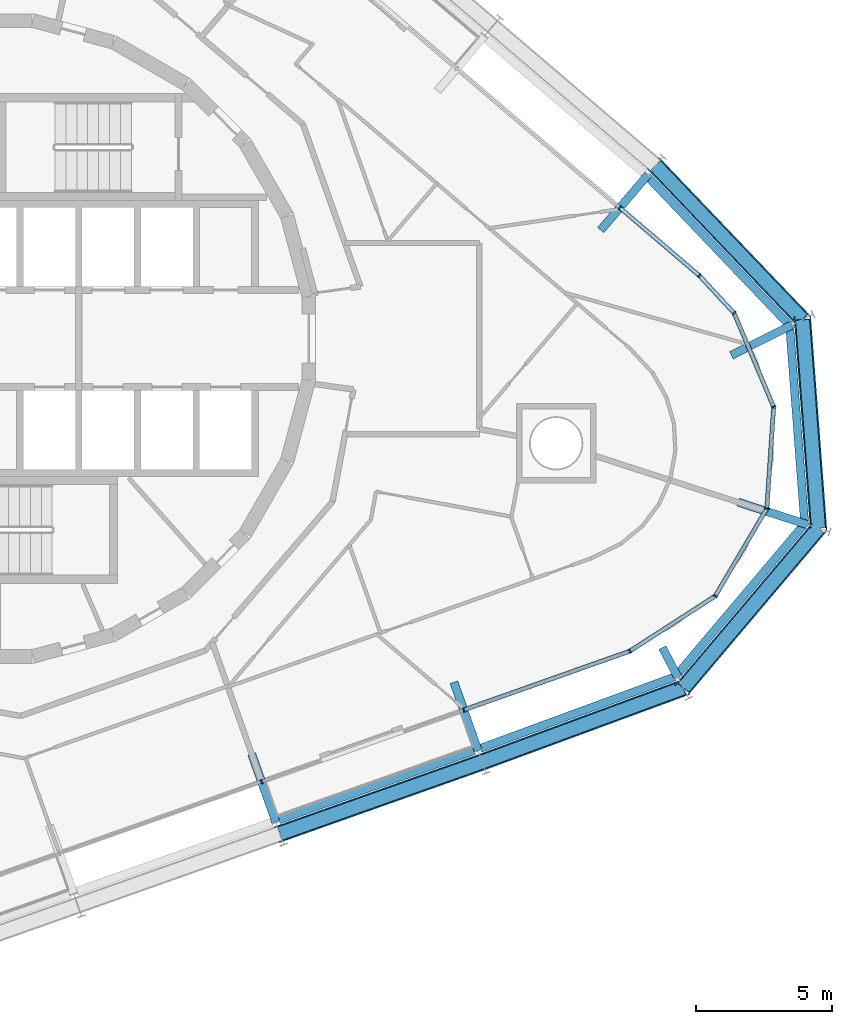
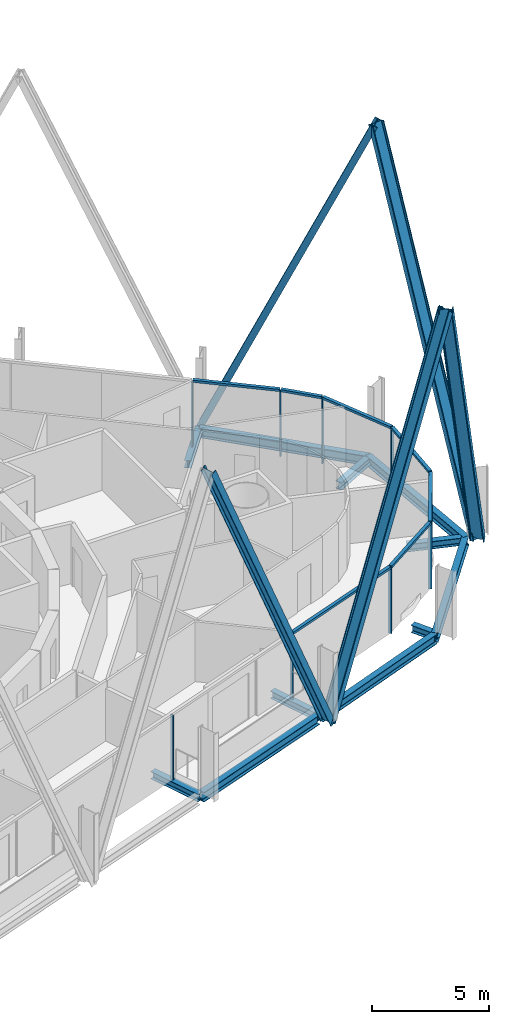
# One storey, part 5 of 17: 21 members, 11 beams, 3 elements without a shape of their own.
"""IFC4 building model written with IfcOpenShell, lengths in metres."""

from ifc_helpers import new_model, si_unit, direction, frame, origin, origin_2d, place, context, subcontext, project, spatial, rectangle, i_section, extrude, material, layer, layer_set, material_profile, profile_set, type_object, element, aggregate, save


model = new_model("IFC4")

# Units and contexts
model_context = context("Model", 3, precision=1e-05, world=origin(), true_north=direction((0.0, 1.0)))
body_context = subcontext(model_context, "Body", "Model", "MODEL_VIEW")
ifc_project = project(units=[si_unit("LENGTHUNIT", "METRE"), si_unit("AREAUNIT", "SQUARE_METRE"), si_unit("VOLUMEUNIT", "CUBIC_METRE"), si_unit("PLANEANGLEUNIT", "RADIAN"), si_unit("MASSUNIT", "GRAM", prefix="KILO")], contexts=[model_context])

# Site, building, storey
site_placement = place(None, origin())
site = spatial("IfcSite", under=ifc_project, at=site_placement, CompositionType="ELEMENT")
building_placement = place(site_placement, origin())
building = spatial("IfcBuilding", under=site, at=building_placement, Name="Spindle Arch Residences", CompositionType="ELEMENT")
storey_placement = place(building_placement, frame((0.0, 0.0, 165.699951171875)))
storey = spatial("IfcBuildingStorey", under=building, at=storey_placement, Name="L41", CompositionType="ELEMENT", Elevation=165.699951171875)

# Curtain wall, members
ifc_material_1 = material(Name="Aluminium bronze unitised frame with tinted glass", Category="aluminium")
ifc_layer_1 = layer(ifc_material_1, 0.159912109375)
ifc_layer_set_1 = layer_set([ifc_layer_1], Name="CW-D corner wall on the fillet arcs")
curtain_wall_type_1 = type_object("IfcCurtainWallType", Name="CW-D corner wall on the fillet arcs", PredefinedType="NOTDEFINED", material=ifc_layer_set_1)
curtain_wall_1_placement = place(storey_placement, origin())
curtain_wall_1 = element("IfcCurtainWall", 1, at=curtain_wall_1_placement, inside=storey, type_object=curtain_wall_type_1, Name="CW-D L41 run 1", PredefinedType="NOTDEFINED")
ifc_material_2 = material(Name="Aluminium bronze anodised mullion", Category="aluminium")
ifc_material_profile_1 = material_profile(ifc_material_2, rectangle(XDim=0.159912109375, YDim=0.06005859375, at=origin_2d()), Name="MU 60x160")
ifc_profile_set_1 = profile_set([ifc_material_profile_1], Name="Aluminium bronze anodised mullion")
member_type_1 = type_object("IfcMemberType", Name="Bronze mullion 60x160", PredefinedType="MULLION", material=ifc_profile_set_1)
member_1_placement = place(storey_placement, frame((17.326904296875, -13.609619140625, -0.3798828125), z_axis=(0.0, 0.0, 1.0), x_axis=(-0.333806859234, 0.942641491092, 0.0)))
member_1 = element("IfcMember", 2, at=member_1_placement, type_object=member_type_1, Name="CW-D mullion 00", PredefinedType="MULLION", context=body_context, shape_type="SweptSolid", body=[
    extrude(rectangle(XDim=0.159912109375, YDim=0.06005859375, at=origin_2d()), origin(), (0.0, 0.0, 1.0), 3.3798828125),
])
member_2_placement = place(storey_placement, frame((23.410400390625, -11.45556640625, -0.3798828125), z_axis=(0.0, 0.0, 1.0), x_axis=(-0.542197137778, 0.840251309898, 0.0)))
member_2 = element("IfcMember", 3, at=member_2_placement, type_object=member_type_1, Name="CW-D mullion 01", PredefinedType="MULLION", context=body_context, shape_type="SweptSolid", body=[
    extrude(rectangle(XDim=0.159912109375, YDim=0.06005859375, at=origin_2d()), origin(), (0.0, 0.0, 1.0), 3.3798828125),
])
member_3_placement = place(storey_placement, frame((26.541748046875, -9.434814453125, -0.3798828125), z_axis=(0.0, 0.0, 1.0), x_axis=(-0.86162915882, 0.507538365713, 0.0)))
member_3 = element("IfcMember", 4, at=member_3_placement, type_object=member_type_1, Name="CW-D mullion 02", PredefinedType="MULLION", context=body_context, shape_type="SweptSolid", body=[
    extrude(rectangle(XDim=0.159912109375, YDim=0.06005859375, at=origin_2d()), origin(), (0.0, 0.0, 1.0), 3.3798828125),
])
member_4_placement = place(storey_placement, frame((28.43310546875, -6.223876953125, -0.3798828125), z_axis=(0.0, 0.0, 1.0), x_axis=(-0.997762742461, 0.066854392204, 0.0)))
member_4 = element("IfcMember", 5, at=member_4_placement, type_object=member_type_1, Name="CW-D mullion 03", PredefinedType="MULLION", context=body_context, shape_type="SweptSolid", body=[
    extrude(rectangle(XDim=0.159912109375, YDim=0.06005859375, at=origin_2d()), origin(), (0.0, 0.0, 1.0), 3.3798828125),
])
member_5_placement = place(storey_placement, frame((28.682373046875, -2.50537109375, -0.3798828125), z_axis=(0.0, 0.0, 1.0), x_axis=(-0.921637549195, -0.388051836633, 0.0)))
member_5 = element("IfcMember", 6, at=member_5_placement, type_object=member_type_1, Name="CW-D mullion 04", PredefinedType="MULLION", context=body_context, shape_type="SweptSolid", body=[
    extrude(rectangle(XDim=0.159912109375, YDim=0.06005859375, at=origin_2d()), origin(), (0.0, 0.0, 1.0), 3.3798828125),
])
member_6_placement = place(storey_placement, frame((27.236083984375, 0.929443359375, -0.3798828125), z_axis=(0.0, 0.0, 1.0), x_axis=(-0.733334455983, -0.679868057543, 0.0)))
member_6 = element("IfcMember", 7, at=member_6_placement, type_object=member_type_1, Name="CW-D mullion 05", PredefinedType="MULLION", context=body_context, shape_type="SweptSolid", body=[
    extrude(rectangle(XDim=0.159912109375, YDim=0.06005859375, at=origin_2d()), origin(), (0.0, 0.0, 1.0), 3.3798828125),
])
member_7_placement = place(storey_placement, frame((25.960693359375, 2.30517578125, -0.3798828125), z_axis=(0.0, 0.0, 1.0), x_axis=(-0.64944804833, -0.7604059656, 0.0)))
member_7 = element("IfcMember", 8, at=member_7_placement, type_object=member_type_1, Name="CW-D mullion 06", PredefinedType="MULLION", context=body_context, shape_type="SweptSolid", body=[
    extrude(rectangle(XDim=0.159912109375, YDim=0.06005859375, at=origin_2d()), origin(), (0.0, 0.0, 1.0), 3.3798828125),
])

# Curtain wall, member
ifc_material_3 = material(Name="Aluminium bronze unitised frame with tinted glass", Category="aluminium")
ifc_layer_2 = layer(ifc_material_3, 0.159912109375)
ifc_layer_set_2 = layer_set([ifc_layer_2], Name="CW-C typical residential unitised wall")
curtain_wall_type_2 = type_object("IfcCurtainWallType", Name="CW-C typical residential unitised wall", PredefinedType="NOTDEFINED", material=ifc_layer_set_2)
curtain_wall_2_placement = place(storey_placement, origin())
curtain_wall_2 = element("IfcCurtainWall", 9, at=curtain_wall_2_placement, inside=storey, type_object=curtain_wall_type_2, Name="CW-C L41 run 2", PredefinedType="NOTDEFINED")
member_8_placement = place(storey_placement, frame((23.045654296875, 4.794677734375, -0.3798828125), z_axis=(0.0, 0.0, 1.0), x_axis=(-0.64944804833, -0.7604059656, 0.0)))
member_8 = element("IfcMember", 10, at=member_8_placement, type_object=member_type_1, Name="CW-C mullion 05", PredefinedType="MULLION", context=body_context, shape_type="SweptSolid", body=[
    extrude(rectangle(XDim=0.159912109375, YDim=0.06005859375, at=origin_2d()), origin(), (0.0, 0.0, 1.0), 3.3798828125),
])
aggregate(curtain_wall_2, [member_8])

curtain_wall_3_placement = place(storey_placement, origin())
curtain_wall_3 = element("IfcCurtainWall", 11, at=curtain_wall_3_placement, inside=storey, type_object=curtain_wall_type_2, Name="CW-C L41 run 6", PredefinedType="NOTDEFINED")
member_9_placement = place(storey_placement, frame((9.917724609375, -16.2333984375, -0.3798828125), z_axis=(0.0, 0.0, 1.0), x_axis=(-0.333806859234, 0.942641491092, 0.0)))
member_9 = element("IfcMember", 12, at=member_9_placement, type_object=member_type_1, Name="CW-C mullion 00", PredefinedType="MULLION", context=body_context, shape_type="SweptSolid", body=[
    extrude(rectangle(XDim=0.159912109375, YDim=0.06005859375, at=origin_2d()), origin(), (0.0, 0.0, 1.0), 3.3798828125),
])
aggregate(curtain_wall_3, [member_9])

# Member
ifc_material_4 = material(Name="Aluminium bronze anodised transom", Category="aluminium")
ifc_material_profile_2 = material_profile(ifc_material_4, rectangle(XDim=0.159912109375, YDim=0.1201171875, at=origin_2d()), Name="TR 120x160")
ifc_profile_set_2 = profile_set([ifc_material_profile_2], Name="Aluminium bronze anodised transom")
member_type_2 = type_object("IfcMemberType", Name="Bronze transom 120x160", PredefinedType="USERDEFINED", material=ifc_profile_set_2)
member_10_placement = place(storey_placement, frame((17.355224609375, -13.599609375, 3.06005859375), z_axis=(0.94265075566, 0.333780695748, 0.0), x_axis=(-0.333780695748, 0.94265075566, 0.0)))
member_10 = element("IfcMember", 13, at=member_10_placement, type_object=member_type_2, Name="CW-D transom 00", ObjectType="TRANSOM", PredefinedType="USERDEFINED", context=body_context, shape_type="SweptSolid", body=[
    extrude(rectangle(XDim=0.159912109375, YDim=0.1201171875, at=origin_2d()), origin(), (0.0, 0.0, 1.0), 6.3935546875),
])

member_11_placement = place(storey_placement, frame((23.435546875, -11.439208984375, 3.06005859375), z_axis=(0.840264358641, 0.542176915405, 0.0), x_axis=(-0.542176915405, 0.840264358641, 0.0)))
member_11 = element("IfcMember", 14, at=member_11_placement, type_object=member_type_2, Name="CW-D transom 01", ObjectType="TRANSOM", PredefinedType="USERDEFINED", context=body_context, shape_type="SweptSolid", body=[
    extrude(rectangle(XDim=0.159912109375, YDim=0.1201171875, at=origin_2d()), origin(), (0.0, 0.0, 1.0), 3.666748046875),
])

member_12_placement = place(storey_placement, frame((26.556884765625, -9.408935546875, 3.06005859375), z_axis=(0.507546689055, 0.861624255943, 0.0), x_axis=(-0.861624255943, 0.507546689055, 0.0)))
member_12 = element("IfcMember", 15, at=member_12_placement, type_object=member_type_2, Name="CW-D transom 02", ObjectType="TRANSOM", PredefinedType="USERDEFINED", context=body_context, shape_type="SweptSolid", body=[
    extrude(rectangle(XDim=0.159912109375, YDim=0.1201171875, at=origin_2d()), origin(), (0.0, 0.0, 1.0), 3.666748046875),
])

member_13_placement = place(storey_placement, frame((28.43505859375, -6.19384765625, 3.06005859375), z_axis=(0.066916740455, 0.997758562903, 0.0), x_axis=(-0.997758562903, 0.066916740455, 0.0)))
member_13 = element("IfcMember", 16, at=member_13_placement, type_object=member_type_2, Name="CW-D transom 03", ObjectType="TRANSOM", PredefinedType="USERDEFINED", context=body_context, shape_type="SweptSolid", body=[
    extrude(rectangle(XDim=0.159912109375, YDim=0.1201171875, at=origin_2d()), origin(), (0.0, 0.0, 1.0), 3.666748046875),
])

member_14_placement = place(storey_placement, frame((28.670654296875, -2.477783203125, 3.06005859375), z_axis=(-0.388045093438, 0.921640388361, 0.0), x_axis=(-0.921640388361, -0.388045093438, 0.0)))
member_14 = element("IfcMember", 17, at=member_14_placement, type_object=member_type_2, Name="CW-D transom 04", ObjectType="TRANSOM", PredefinedType="USERDEFINED", context=body_context, shape_type="SweptSolid", body=[
    extrude(rectangle(XDim=0.159912109375, YDim=0.1201171875, at=origin_2d()), origin(), (0.0, 0.0, 1.0), 3.666748046875),
])

member_15_placement = place(storey_placement, frame((27.2158203125, 0.951416015625, 3.06005859375), z_axis=(-0.679919851258, 0.733286435075, 0.0), x_axis=(-0.733286435075, -0.679919851258, 0.0)))
member_15 = element("IfcMember", 18, at=member_15_placement, type_object=member_type_2, Name="CW-D transom 05", ObjectType="TRANSOM", PredefinedType="USERDEFINED", context=body_context, shape_type="SweptSolid", body=[
    extrude(rectangle(XDim=0.159912109375, YDim=0.1201171875, at=origin_2d()), origin(), (0.0, 0.0, 1.0), 1.816162109375),
])

member_16_placement = place(storey_placement, frame((25.937744140625, 2.32470703125, 3.06005859375), z_axis=(-0.76037900371, 0.64947961532, 0.0), x_axis=(-0.64947961532, -0.76037900371, 0.0)))
member_16 = element("IfcMember", 19, at=member_16_placement, type_object=member_type_2, Name="CW-D transom 06", ObjectType="TRANSOM", PredefinedType="USERDEFINED", context=body_context, shape_type="SweptSolid", body=[
    extrude(rectangle(XDim=0.159912109375, YDim=0.1201171875, at=origin_2d()), origin(), (0.0, 0.0, 1.0), 3.773193359375),
])

aggregate(curtain_wall_1, [member_1, member_10, member_2, member_11, member_3, member_12, member_4, member_13, member_5, member_14, member_6, member_15, member_7, member_16])

# Members
ifc_material_5 = material(Name="Steel S460ML, intumescent coating R 240", Category="steel")
ifc_material_profile_3 = material_profile(ifc_material_5, i_section(OverallWidth=0.304931640625, OverallDepth=0.6201171875, WebThickness=0.02099609375, FlangeThickness=0.0400390625, FilletRadius=0.027099609375, at=origin_2d()), Name="HEM 600")
ifc_profile_set_3 = profile_set([ifc_material_profile_3], Name="Steel S460ML, intumescent coating R 240")
member_type_3 = type_object("IfcMemberType", Name="Diagrid diagonal HEM 600", PredefinedType="BRACE", material=ifc_profile_set_3)
member_17_placement = place(storey_placement, frame((18.001220703125, -15.513916015625, -0.6298828125), z_axis=(-0.390424893575, -0.138259401979, 0.910193792685), x_axis=(0.857984569665, 0.30383419567, 0.41418264058)))
element("IfcMember", 20, at=member_17_placement, inside=storey, type_object=member_type_3, Name="Diagrid diagonal 4.2.1", PredefinedType="BRACE", context=body_context, shape_type="SweptSolid", body=[
    extrude(i_section(OverallWidth=0.304931640625, OverallDepth=0.6201171875, WebThickness=0.02099609375, FlangeThickness=0.0400390625, FilletRadius=0.027099609375, at=origin_2d()), origin(), (0.0, 0.0, 1.0), 18.977294921875),
])
member_18_placement = place(storey_placement, frame((18.001220703125, -15.513916015625, -0.6298828125), z_axis=(0.38851470315, 0.143057091245, 0.91026973699), x_axis=(-0.854202317421, -0.314530435719, 0.414015707334)))
element("IfcMember", 21, at=member_18_placement, inside=storey, type_object=member_type_3, Name="Diagrid diagonal 4.2.2", PredefinedType="BRACE", context=body_context, shape_type="SweptSolid", body=[
    extrude(i_section(OverallWidth=0.304931640625, OverallDepth=0.6201171875, WebThickness=0.02099609375, FlangeThickness=0.0400390625, FilletRadius=0.027099609375, at=origin_2d()), origin(), (0.0, 0.0, 1.0), 18.9755859375),
])
for number, where, z_axis, x_axis, name in (
    (22, (30.322509765625, -6.948486328125, -0.6298828125), (-0.261898412413, -0.309624362562, 0.914079851919), (0.590322678446, 0.697897636474, 0.405534245553), "Diagrid diagonal 4.2.3"),
    (23, (30.322509765625, -6.948486328125, -0.6298828125), (-0.030852694502, 0.404353760393, 0.914082134), (0.069543459923, -0.911432858131, 0.405529101671), "Diagrid diagonal 4.2.4"),
):
    element("IfcMember", number, at=place(storey_placement, frame(where, z_axis=z_axis, x_axis=x_axis)), inside=storey, type_object=member_type_3, Name=name, PredefinedType="BRACE", context=body_context, shape_type="SweptSolid", body=[
        extrude(i_section(OverallWidth=0.304931640625, OverallDepth=0.6201171875, WebThickness=0.02099609375, FlangeThickness=0.0400390625, FilletRadius=0.027099609375, at=origin_2d()), origin(), (0.0, 0.0, 1.0), 18.896484375),
    ])
member_19_placement = place(storey_placement, frame((24.357666015625, 6.330810546875, -0.6298828125), z_axis=(0.283998614367, -0.297538922102, 0.91149074426), x_axis=(-0.629343918622, 0.659349383078, 0.411320584372)))
element("IfcMember", 24, at=member_19_placement, inside=storey, type_object=member_type_3, Name="Diagrid diagonal 4.2.5", PredefinedType="BRACE", context=body_context, shape_type="SweptSolid", body=[
    extrude(i_section(OverallWidth=0.304931640625, OverallDepth=0.6201171875, WebThickness=0.02099609375, FlangeThickness=0.0400390625, FilletRadius=0.027099609375, at=origin_2d()), origin(), (0.0, 0.0, 1.0), 18.9501953125),
])

# Beams
ifc_material_6 = material(Name="Steel S460ML, intumescent coating R 120", Category="steel")
ifc_material_profile_4 = material_profile(ifc_material_6, i_section(OverallWidth=0.300048828125, OverallDepth=0.5, WebThickness=0.014404296875, FlangeThickness=0.028076171875, FilletRadius=0.027099609375, at=origin_2d()), Name="HEB 500")
ifc_profile_set_4 = profile_set([ifc_material_profile_4], Name="Steel S460ML, intumescent coating R 120")
beam_type_1 = type_object("IfcBeamType", Name="Exoskeleton edge beam HEB 500", PredefinedType="BEAM", material=ifc_profile_set_4)
beam_1_placement = place(storey_placement, frame((10.551025390625, -17.63232421875, -0.6298828125), z_axis=(0.942633964352, 0.33382811333, 0.0), x_axis=(-0.33382811333, 0.942633964352, 0.0)))
element("IfcBeam", 25, at=beam_1_placement, inside=storey, type_object=beam_type_1, Name="Exoskeleton edge beam 1", PredefinedType="BEAM", context=body_context, shape_type="SweptSolid", body=[
    extrude(i_section(OverallWidth=0.300048828125, OverallDepth=0.5, WebThickness=0.014404296875, FlangeThickness=0.028076171875, FilletRadius=0.027099609375, at=origin_2d()), origin(), (0.0, 0.0, 1.0), 7.60009765625),
])
beam_2_placement = place(storey_placement, frame((17.927978515625, -15.01953125, -0.6298828125), z_axis=(0.938417721989, 0.345502791677, 0.0), x_axis=(-0.345502791677, 0.938417721989, 0.0)))
element("IfcBeam", 26, at=beam_2_placement, inside=storey, type_object=beam_type_1, Name="Exoskeleton edge beam 2", PredefinedType="BEAM", context=body_context, shape_type="SweptSolid", body=[
    extrude(i_section(OverallWidth=0.300048828125, OverallDepth=0.5, WebThickness=0.014404296875, FlangeThickness=0.028076171875, FilletRadius=0.027099609375, at=origin_2d()), origin(), (0.0, 0.0, 1.0), 7.59619140625),
])
for number, where, z_axis, x_axis, name in (
    (27, (25.08349609375, -12.3837890625, -0.6298828125), (0.645788487343, 0.763516358446, 0.0), (-0.763516358446, 0.645788487343, 0.0), "Exoskeleton edge beam 3"),
    (28, (29.823974609375, -6.856201171875, -0.6298828125), (-0.076078644635, 0.997101820192, 0.0), (-0.997101820192, -0.076078644635, 0.0), "Exoskeleton edge beam 4"),
):
    element("IfcBeam", number, at=place(storey_placement, frame(where, z_axis=z_axis, x_axis=x_axis)), inside=storey, type_object=beam_type_1, Name=name, PredefinedType="BEAM", context=body_context, shape_type="SweptSolid", body=[
        extrude(i_section(OverallWidth=0.300048828125, OverallDepth=0.5, WebThickness=0.014404296875, FlangeThickness=0.028076171875, FilletRadius=0.027099609375, at=origin_2d()), origin(), (0.0, 0.0, 1.0), 7.4033203125),
    ])
beam_3_placement = place(storey_placement, frame((29.263916015625, 0.484375, -0.6298828125), z_axis=(-0.690454167384, 0.72337614195, 0.0), x_axis=(-0.72337614195, -0.690454167384, 0.0)))
element("IfcBeam", 29, at=beam_3_placement, inside=storey, type_object=beam_type_1, Name="Exoskeleton edge beam 5", PredefinedType="BEAM", context=body_context, shape_type="SweptSolid", body=[
    extrude(i_section(OverallWidth=0.300048828125, OverallDepth=0.5, WebThickness=0.014404296875, FlangeThickness=0.028076171875, FilletRadius=0.027099609375, at=origin_2d()), origin(), (0.0, 0.0, 1.0), 7.534423828125),
])
ifc_material_7 = material(Name="Steel S460ML, intumescent coating R 120", Category="steel")
ifc_material_profile_5 = material_profile(ifc_material_7, i_section(OverallWidth=0.300048828125, OverallDepth=0.389892578125, WebThickness=0.010986328125, FlangeThickness=0.01904296875, FilletRadius=0.027099609375, at=origin_2d()), Name="HEA 400")
ifc_profile_set_5 = profile_set([ifc_material_profile_5], Name="Steel S460ML, intumescent coating R 120")
beam_type_2 = type_object("IfcBeamType", Name="Floor outrigger HEA 400", PredefinedType="BEAM", material=ifc_profile_set_5)
beam_4_placement = place(storey_placement, frame((10.44189453125, -17.71337890625, -0.574951171875), z_axis=(-0.333860785086, 0.942622393211, 0.0), x_axis=(-0.942622393211, -0.333860785086, 0.0)))
element("IfcBeam", 30, at=beam_4_placement, inside=storey, type_object=beam_type_2, Name="Floor outrigger 1", PredefinedType="BEAM", context=body_context, shape_type="SweptSolid", body=[
    extrude(i_section(OverallWidth=0.300048828125, OverallDepth=0.389892578125, WebThickness=0.010986328125, FlangeThickness=0.01904296875, FilletRadius=0.027099609375, at=origin_2d()), origin(), (0.0, 0.0, 1.0), 2.650146484375),
])
beam_5_placement = place(storey_placement, frame((17.85107421875, -15.089599609375, -0.574951171875), z_axis=(-0.333778924893, 0.942651382695, 0.0), x_axis=(-0.942651382695, -0.333778924893, 0.0)))
element("IfcBeam", 31, at=beam_5_placement, inside=storey, type_object=beam_type_2, Name="Floor outrigger 2", PredefinedType="BEAM", context=body_context, shape_type="SweptSolid", body=[
    extrude(i_section(OverallWidth=0.300048828125, OverallDepth=0.389892578125, WebThickness=0.010986328125, FlangeThickness=0.01904296875, FilletRadius=0.027099609375, at=origin_2d()), origin(), (0.0, 0.0, 1.0), 2.64990234375),
])
beam_6_placement = place(storey_placement, frame((25.166015625, -12.400146484375, -0.574951171875), z_axis=(-0.461536115739, 0.887121420026, 0.0), x_axis=(-0.887121420026, -0.461536115739, 0.0)))
element("IfcBeam", 32, at=beam_6_placement, inside=storey, type_object=beam_type_2, Name="Floor outrigger 3", PredefinedType="BEAM", context=body_context, shape_type="SweptSolid", body=[
    extrude(i_section(OverallWidth=0.300048828125, OverallDepth=0.389892578125, WebThickness=0.010986328125, FlangeThickness=0.01904296875, FilletRadius=0.027099609375, at=origin_2d()), origin(), (0.0, 0.0, 1.0), 1.215576171875),
])
beam_7_placement = place(storey_placement, frame((29.894287109375, -6.81005859375, -0.574951171875), z_axis=(-0.951419914018, 0.307896325424, 0.0), x_axis=(-0.307896325424, -0.951419914018, 0.0)))
element("IfcBeam", 33, at=beam_7_placement, inside=storey, type_object=beam_type_2, Name="Floor outrigger 4", PredefinedType="BEAM", context=body_context, shape_type="SweptSolid", body=[
    extrude(i_section(OverallWidth=0.300048828125, OverallDepth=0.389892578125, WebThickness=0.010986328125, FlangeThickness=0.01904296875, FilletRadius=0.027099609375, at=origin_2d()), origin(), (0.0, 0.0, 1.0), 2.64990234375),
])
beam_8_placement = place(storey_placement, frame((29.33740234375, 0.490478515625, -0.574951171875), z_axis=(-0.8937538876, -0.448557675668, 0.0), x_axis=(0.448557675668, -0.8937538876, 0.0)))
element("IfcBeam", 34, at=beam_8_placement, inside=storey, type_object=beam_type_2, Name="Floor outrigger 5", PredefinedType="BEAM", context=body_context, shape_type="SweptSolid", body=[
    extrude(i_section(OverallWidth=0.300048828125, OverallDepth=0.389892578125, WebThickness=0.010986328125, FlangeThickness=0.01904296875, FilletRadius=0.027099609375, at=origin_2d()), origin(), (0.0, 0.0, 1.0), 2.469482421875),
])
beam_9_placement = place(storey_placement, frame((24.065185546875, 5.988525390625, -0.574951171875), z_axis=(-0.64941704551, -0.760432443417, 0.0), x_axis=(0.760432443417, -0.64941704551, 0.0)))
element("IfcBeam", 35, at=beam_9_placement, inside=storey, type_object=beam_type_2, Name="Floor outrigger 6", PredefinedType="BEAM", context=body_context, shape_type="SweptSolid", body=[
    extrude(i_section(OverallWidth=0.300048828125, OverallDepth=0.389892578125, WebThickness=0.010986328125, FlangeThickness=0.01904296875, FilletRadius=0.027099609375, at=origin_2d()), origin(), (0.0, 0.0, 1.0), 2.64990234375),
])

save(model, "model.ifc")
